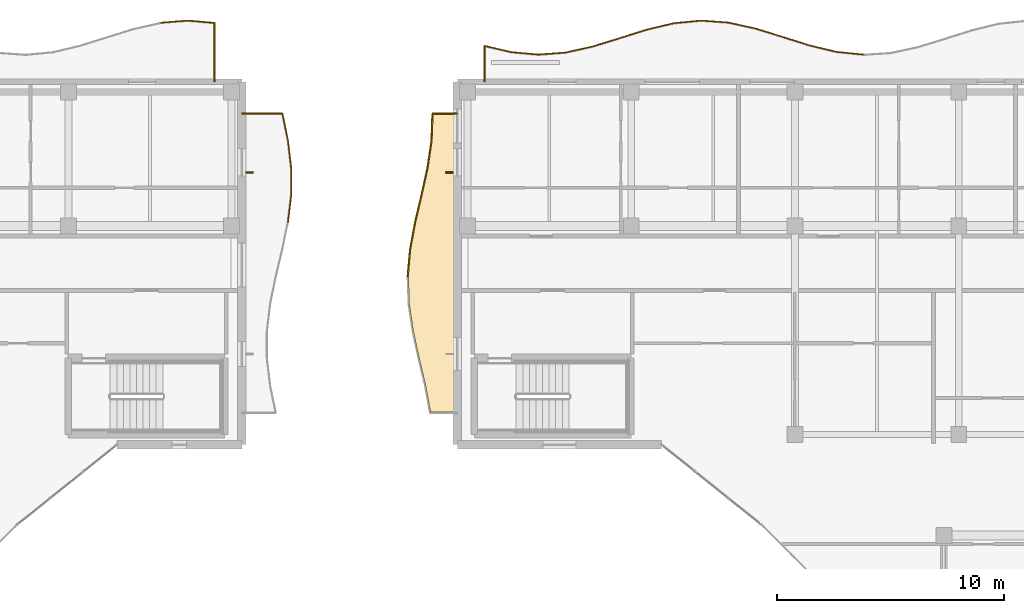
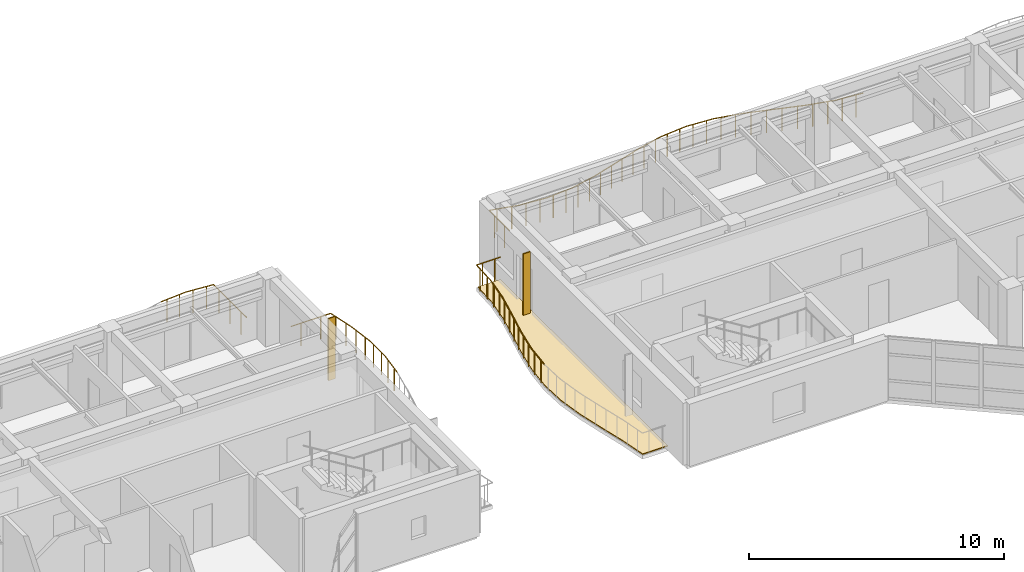
# One storey, part 88 of 89: 30 railings, 2 shading devices, 1 covering.
"""IFC4 building model written with IfcOpenShell, lengths in metres."""

from ifc_helpers import new_model, si_unit, direction, frame, origin, origin_2d, place, context, subcontext, project, spatial, polyline, rectangle, circle, outline, extrude, material, layer, layer_set, type_object, element, save


model = new_model("IFC4")

# Units and contexts
model_context = context("Model", 3, precision=1e-05, world=origin(), true_north=direction((0.0, 1.0)))
body_context = subcontext(model_context, "Body", "Model", "MODEL_VIEW")
ifc_project = project(units=[si_unit("LENGTHUNIT", "METRE"), si_unit("AREAUNIT", "SQUARE_METRE"), si_unit("VOLUMEUNIT", "CUBIC_METRE"), si_unit("PLANEANGLEUNIT", "RADIAN"), si_unit("MASSUNIT", "GRAM", prefix="KILO")], contexts=[model_context])

# Site, building, storey
site_placement = place(None, origin())
site = spatial("IfcSite", under=ifc_project, at=site_placement, CompositionType="ELEMENT")
building_placement = place(site_placement, origin())
building = spatial("IfcBuilding", under=site, at=building_placement, Name="Keldmere Railside Commons", CompositionType="ELEMENT")
storey_placement = place(building_placement, frame((0.0, 0.0, 7.360107421875)))
storey = spatial("IfcBuildingStorey", under=building, at=storey_placement, Name="L02", CompositionType="ELEMENT", Elevation=7.360107421875)

# Railings
ifc_material_1 = material(Name="Steel F-24 (S235)", Category="steel")
railing_type = type_object("IfcRailingType", Name="Balcony & Terrace Steel Balustrade 1100", PredefinedType="BALUSTRADE", material=ifc_material_1)
railing_1_placement = place(storey_placement, frame((133.9228515625, 118.60595703125, 0.0)))
element("IfcRailing", 1, at=railing_1_placement, inside=storey, type_object=railing_type, Name="GR-1 GRD-L02-2009", PredefinedType="BALUSTRADE", context=body_context, shape_type="SweptSolid", body=[
    extrude(circle(Radius=0.02392578125, at=origin_2d()), frame((0.0, 0.0, 1.076171875), z_axis=(0.996887145721, 0.078841731944, 0.0), x_axis=(-0.078841731944, 0.996887145721, 0.0)), (0.0, 0.0, 1.0), 1.192138671875),
    extrude(circle(Radius=0.02099609375, at=origin_2d()), frame((0.297119140625, 0.0234375, 0.0)), (0.0, 0.0, 1.0), 1.048095703125),
    extrude(circle(Radius=0.02099609375, at=origin_2d()), frame((0.891357421875, 0.070556640625, 0.0)), (0.0, 0.0, 1.0), 1.048095703125),
])
railing_2_placement = place(storey_placement, frame((135.111328125, 118.699951171875, 0.0)))
element("IfcRailing", 2, at=railing_2_placement, inside=storey, type_object=railing_type, Name="GR-1 GRD-L02-2010", PredefinedType="BALUSTRADE", context=body_context, shape_type="SweptSolid", body=[
    extrude(circle(Radius=0.02392578125, at=origin_2d()), frame((0.0, 0.0, 1.076171875), z_axis=(0.996247494942, -0.086550152056, 0.0), x_axis=(0.086550152056, 0.996247494942, 0.0)), (0.0, 0.0, 1.0), 1.193115234375),
    extrude(circle(Radius=0.02099609375, at=origin_2d()), frame((0.297119140625, -0.02587890625, 0.0)), (0.0, 0.0, 1.0), 1.048095703125),
    extrude(circle(Radius=0.02099609375, at=origin_2d()), frame((0.8916015625, -0.077392578125, 0.0)), (0.0, 0.0, 1.0), 1.048095703125),
])
railing_3_placement = place(storey_placement, frame((136.300048828125, 118.5966796875, 0.0)))
element("IfcRailing", 3, at=railing_3_placement, inside=storey, type_object=railing_type, Name="GR-1 GRD-L02-2011", PredefinedType="BALUSTRADE", context=body_context, shape_type="SweptSolid", body=[
    extrude(circle(Radius=0.02392578125, at=origin_2d()), frame((0.0, 0.0, 1.076171875), z_axis=(0.0, -1.0, 0.0), x_axis=(1.0, 0.0, 0.0)), (0.0, 0.0, 1.0), 2.5966796875),
    extrude(circle(Radius=0.02099609375, at=origin_2d()), frame((0.0, -0.432861328125, 0.0)), (0.0, 0.0, 1.0), 1.048095703125),
    extrude(circle(Radius=0.02099609375, at=origin_2d()), frame((0.0, -1.29833984375, 0.0)), (0.0, 0.0, 1.0), 1.048095703125),
    extrude(circle(Radius=0.02099609375, at=origin_2d()), frame((0.0, -2.163818359375, 0.0)), (0.0, 0.0, 1.0), 1.048095703125),
])
railing_4_placement = place(storey_placement, frame((139.53759765625, 109.800048828125, 0.0)))
element("IfcRailing", 4, at=railing_4_placement, inside=storey, type_object=railing_type, Name="GR-1 GRD-L02-2075", PredefinedType="BALUSTRADE", context=body_context, shape_type="SweptSolid", body=[
    extrude(circle(Radius=0.02392578125, at=origin_2d()), frame((0.0, 0.0, 1.076171875), z_axis=(0.118587567053, 0.992943598066, 0.0), x_axis=(-0.992943598066, 0.118587567053, 0.0)), (0.0, 0.0, 1.0), 1.20849609375),
    extrude(circle(Radius=0.02099609375, at=origin_2d()), frame((0.035888671875, 0.300048828125, 0.0)), (0.0, 0.0, 1.0), 1.048095703125),
    extrude(circle(Radius=0.02099609375, at=origin_2d()), frame((0.107421875, 0.89990234375, 0.0)), (0.0, 0.0, 1.0), 1.048095703125),
])
railing_5_placement = place(storey_placement, frame((139.680908203125, 111.0, 0.0)))
element("IfcRailing", 5, at=railing_5_placement, inside=storey, type_object=railing_type, Name="GR-1 GRD-L02-2076", PredefinedType="BALUSTRADE", context=body_context, shape_type="SweptSolid", body=[
    extrude(circle(Radius=0.02392578125, at=origin_2d()), frame((0.0, 0.0, 1.076171875), z_axis=(0.000610376285, 0.99999981372, 0.0), x_axis=(-0.99999981372, 0.000610376285, 0.0)), (0.0, 0.0, 1.0), 1.199951171875),
    extrude(circle(Radius=0.02099609375, at=origin_2d()), frame((0.000244140625, 0.300048828125, 0.0)), (0.0, 0.0, 1.0), 1.048095703125),
    extrude(circle(Radius=0.02099609375, at=origin_2d()), frame((0.00048828125, 0.89990234375, 0.0)), (0.0, 0.0, 1.0), 1.048095703125),
])
railing_6_placement = place(storey_placement, frame((139.681640625, 112.199951171875, 0.0)))
element("IfcRailing", 6, at=railing_6_placement, inside=storey, type_object=railing_type, Name="GR-1 GRD-L02-2077", PredefinedType="BALUSTRADE", context=body_context, shape_type="SweptSolid", body=[
    extrude(circle(Radius=0.02392578125, at=origin_2d()), frame((0.0, 0.0, 1.076171875), z_axis=(-0.116993654414, 0.99313266225, 0.0), x_axis=(-0.99313266225, -0.116993654414, 0.0)), (0.0, 0.0, 1.0), 1.208251953125),
    extrude(circle(Radius=0.02099609375, at=origin_2d()), frame((-0.035400390625, 0.300048828125, 0.0)), (0.0, 0.0, 1.0), 1.048095703125),
    extrude(circle(Radius=0.02099609375, at=origin_2d()), frame((-0.10595703125, 0.89990234375, 0.0)), (0.0, 0.0, 1.0), 1.048095703125),
])
railing_7_placement = place(storey_placement, frame((139.540283203125, 113.39990234375, 0.0)))
element("IfcRailing", 7, at=railing_7_placement, inside=storey, type_object=railing_type, Name="GR-1 GRD-L02-2078", PredefinedType="BALUSTRADE", context=body_context, shape_type="SweptSolid", body=[
    extrude(circle(Radius=0.02392578125, at=origin_2d()), frame((0.0, 0.0, 1.076171875), z_axis=(-0.200865691703, 0.97961879009, 0.0), x_axis=(-0.97961879009, -0.200865691703, 0.0)), (0.0, 0.0, 1.0), 1.22509765625),
    extrude(circle(Radius=0.02099609375, at=origin_2d()), frame((-0.0615234375, 0.300048828125, 0.0)), (0.0, 0.0, 1.0), 1.048095703125),
    extrude(circle(Radius=0.02099609375, at=origin_2d()), frame((-0.1845703125, 0.900146484375, 0.0)), (0.0, 0.0, 1.0), 1.048095703125),
])
railing_8_placement = place(storey_placement, frame((139.294189453125, 114.60009765625, 0.0)))
element("IfcRailing", 8, at=railing_8_placement, inside=storey, type_object=railing_type, Name="GR-1 GRD-L02-2079", PredefinedType="BALUSTRADE", context=body_context, shape_type="SweptSolid", body=[
    extrude(circle(Radius=0.02392578125, at=origin_2d()), frame((0.0, 0.0, 1.076171875), z_axis=(-1.0, 0.0, 0.0), x_axis=(0.0, -1.0, 0.0)), (0.0, 0.0, 1.0), 1.794189453125),
    extrude(circle(Radius=0.02099609375, at=origin_2d()), frame((-0.448486328125, 0.0, 0.0)), (0.0, 0.0, 1.0), 1.048095703125),
    extrude(circle(Radius=0.02099609375, at=origin_2d()), frame((-1.345703125, 0.0, 0.0)), (0.0, 0.0, 1.0), 1.048095703125),
])
railing_9_placement = place(storey_placement, frame((148.199951171875, 116.0, 0.0)))
element("IfcRailing", 9, at=railing_9_placement, inside=storey, type_object=railing_type, Name="GR-1 GRD-L02-3289", PredefinedType="BALUSTRADE", context=body_context, shape_type="SweptSolid", body=[
    extrude(circle(Radius=0.02392578125, at=origin_2d()), frame((0.0, 0.0, 1.076171875), z_axis=(0.0, 1.0, 0.0), x_axis=(-1.0, 0.0, 0.0)), (0.0, 0.0, 1.0), 1.5849609375),
    extrude(circle(Radius=0.02099609375, at=origin_2d()), frame((0.0, 0.396240234375, 0.0)), (0.0, 0.0, 1.0), 1.048095703125),
    extrude(circle(Radius=0.02099609375, at=origin_2d()), frame((0.0, 1.188720703125, 0.0)), (0.0, 0.0, 1.0), 1.048095703125),
])
railing_10_placement = place(storey_placement, frame((148.199951171875, 117.5849609375, 0.0)))
element("IfcRailing", 10, at=railing_10_placement, inside=storey, type_object=railing_type, Name="GR-1 GRD-L02-3290", PredefinedType="BALUSTRADE", context=body_context, shape_type="SweptSolid", body=[
    extrude(circle(Radius=0.02392578125, at=origin_2d()), frame((0.0, 0.0, 1.076171875), z_axis=(0.973986548409, -0.226605832932, 0.0), x_axis=(0.226605832932, 0.973986548409, 0.0)), (0.0, 0.0, 1.0), 1.22509765625),
    extrude(circle(Radius=0.02099609375, at=origin_2d()), frame((0.29833984375, -0.0693359375, 0.0)), (0.0, 0.0, 1.0), 1.048095703125),
    extrude(circle(Radius=0.02099609375, at=origin_2d()), frame((0.894775390625, -0.208251953125, 0.0)), (0.0, 0.0, 1.0), 1.048095703125),
])
railing_11_placement = place(storey_placement, frame((149.39306640625, 117.307373046875, 0.0)))
element("IfcRailing", 11, at=railing_11_placement, inside=storey, type_object=railing_type, Name="GR-1 GRD-L02-3291", PredefinedType="BALUSTRADE", context=body_context, shape_type="SweptSolid", body=[
    extrude(circle(Radius=0.02392578125, at=origin_2d()), frame((0.0, 0.0, 1.076171875), z_axis=(0.995989526533, -0.089469900173, 0.0), x_axis=(0.089469900173, 0.995989526533, 0.0)), (0.0, 0.0, 1.0), 1.197998046875),
    extrude(circle(Radius=0.02099609375, at=origin_2d()), frame((0.29833984375, -0.02685546875, 0.0)), (0.0, 0.0, 1.0), 1.048095703125),
    extrude(circle(Radius=0.02099609375, at=origin_2d()), frame((0.894775390625, -0.080322265625, 0.0)), (0.0, 0.0, 1.0), 1.048095703125),
])
railing_12_placement = place(storey_placement, frame((150.586181640625, 117.2001953125, 0.0)))
element("IfcRailing", 12, at=railing_12_placement, inside=storey, type_object=railing_type, Name="GR-1 GRD-L02-3292", PredefinedType="BALUSTRADE", context=body_context, shape_type="SweptSolid", body=[
    extrude(circle(Radius=0.02392578125, at=origin_2d()), frame((0.0, 0.0, 1.076171875), z_axis=(0.997084413311, 0.076306439652, 0.0), x_axis=(-0.076306439652, 0.997084413311, 0.0)), (0.0, 0.0, 1.0), 1.196533203125),
    extrude(circle(Radius=0.02099609375, at=origin_2d()), frame((0.29833984375, 0.02294921875, 0.0)), (0.0, 0.0, 1.0), 1.048095703125),
    extrude(circle(Radius=0.02099609375, at=origin_2d()), frame((0.894775390625, 0.068359375, 0.0)), (0.0, 0.0, 1.0), 1.048095703125),
])
railing_13_placement = place(storey_placement, frame((151.779296875, 117.29150390625, 0.0)))
element("IfcRailing", 13, at=railing_13_placement, inside=storey, type_object=railing_type, Name="GR-1 GRD-L02-3293", PredefinedType="BALUSTRADE", context=body_context, shape_type="SweptSolid", body=[
    extrude(circle(Radius=0.02392578125, at=origin_2d()), frame((0.0, 0.0, 1.076171875), z_axis=(0.976017591193, 0.217691666544, 0.0), x_axis=(-0.217691666544, 0.976017591193, 0.0)), (0.0, 0.0, 1.0), 1.222412109375),
    extrude(circle(Radius=0.02099609375, at=origin_2d()), frame((0.29833984375, 0.06640625, 0.0)), (0.0, 0.0, 1.0), 1.048095703125),
    extrude(circle(Radius=0.02099609375, at=origin_2d()), frame((0.894775390625, 0.19970703125, 0.0)), (0.0, 0.0, 1.0), 1.048095703125),
])
railing_14_placement = place(storey_placement, frame((152.972412109375, 117.5576171875, 0.0)))
element("IfcRailing", 14, at=railing_14_placement, inside=storey, type_object=railing_type, Name="GR-1 GRD-L02-3294", PredefinedType="BALUSTRADE", context=body_context, shape_type="SweptSolid", body=[
    extrude(circle(Radius=0.02392578125, at=origin_2d()), frame((0.0, 0.0, 1.076171875), z_axis=(0.955210932165, 0.295925793186, 0.0), x_axis=(-0.295925793186, 0.955210932165, 0.0)), (0.0, 0.0, 1.0), 1.2490234375),
    extrude(circle(Radius=0.02099609375, at=origin_2d()), frame((0.29833984375, 0.09228515625, 0.0)), (0.0, 0.0, 1.0), 1.048095703125),
    extrude(circle(Radius=0.02099609375, at=origin_2d()), frame((0.894775390625, 0.27734375, 0.0)), (0.0, 0.0, 1.0), 1.048095703125),
])
railing_15_placement = place(storey_placement, frame((154.16552734375, 117.92724609375, 0.0)))
element("IfcRailing", 15, at=railing_15_placement, inside=storey, type_object=railing_type, Name="GR-1 GRD-L02-3295", PredefinedType="BALUSTRADE", context=body_context, shape_type="SweptSolid", body=[
    extrude(circle(Radius=0.02392578125, at=origin_2d()), frame((0.0, 0.0, 1.076171875), z_axis=(0.953765363157, 0.30055221184, 0.0), x_axis=(-0.30055221184, 0.953765363157, 0.0)), (0.0, 0.0, 1.0), 1.2509765625),
    extrude(circle(Radius=0.02099609375, at=origin_2d()), frame((0.29833984375, 0.093994140625, 0.0)), (0.0, 0.0, 1.0), 1.048095703125),
    extrude(circle(Radius=0.02099609375, at=origin_2d()), frame((0.894775390625, 0.281982421875, 0.0)), (0.0, 0.0, 1.0), 1.048095703125),
])
railing_16_placement = place(storey_placement, frame((155.358642578125, 118.30322265625, 0.0)))
element("IfcRailing", 16, at=railing_16_placement, inside=storey, type_object=railing_type, Name="GR-1 GRD-L02-3296", PredefinedType="BALUSTRADE", context=body_context, shape_type="SweptSolid", body=[
    extrude(circle(Radius=0.02392578125, at=origin_2d()), frame((0.0, 0.0, 1.076171875), z_axis=(0.973144884633, 0.230193469743, 0.0), x_axis=(-0.230193469743, 0.973144884633, 0.0)), (0.0, 0.0, 1.0), 1.22607421875),
    extrude(circle(Radius=0.02099609375, at=origin_2d()), frame((0.29833984375, 0.070556640625, 0.0)), (0.0, 0.0, 1.0), 1.048095703125),
    extrude(circle(Radius=0.02099609375, at=origin_2d()), frame((0.894775390625, 0.211669921875, 0.0)), (0.0, 0.0, 1.0), 1.048095703125),
])
railing_17_placement = place(storey_placement, frame((156.5517578125, 118.58544921875, 0.0)))
element("IfcRailing", 17, at=railing_17_placement, inside=storey, type_object=railing_type, Name="GR-1 GRD-L02-3297", PredefinedType="BALUSTRADE", context=body_context, shape_type="SweptSolid", body=[
    extrude(circle(Radius=0.02392578125, at=origin_2d()), frame((0.0, 0.0, 1.076171875), z_axis=(0.995465210874, 0.095126305193, 0.0), x_axis=(-0.095126305193, 0.995465210874, 0.0)), (0.0, 0.0, 1.0), 1.198486328125),
    extrude(circle(Radius=0.02099609375, at=origin_2d()), frame((0.29833984375, 0.028564453125, 0.0)), (0.0, 0.0, 1.0), 1.048095703125),
    extrude(circle(Radius=0.02099609375, at=origin_2d()), frame((0.894775390625, 0.08544921875, 0.0)), (0.0, 0.0, 1.0), 1.048095703125),
])
railing_18_placement = place(storey_placement, frame((157.744873046875, 118.699462890625, 0.0)))
element("IfcRailing", 18, at=railing_18_placement, inside=storey, type_object=railing_type, Name="GR-1 GRD-L02-3298", PredefinedType="BALUSTRADE", context=body_context, shape_type="SweptSolid", body=[
    extrude(circle(Radius=0.02392578125, at=origin_2d()), frame((0.0, 0.0, 1.076171875), z_axis=(0.997488657873, -0.070826389254, 0.0), x_axis=(0.070826389254, 0.997488657873, 0.0)), (0.0, 0.0, 1.0), 1.196044921875),
    extrude(circle(Radius=0.02099609375, at=origin_2d()), frame((0.29833984375, -0.021240234375, 0.0)), (0.0, 0.0, 1.0), 1.048095703125),
    extrude(circle(Radius=0.02099609375, at=origin_2d()), frame((0.894775390625, -0.0634765625, 0.0)), (0.0, 0.0, 1.0), 1.048095703125),
])
railing_19_placement = place(storey_placement, frame((158.93798828125, 118.61474609375, 0.0)))
element("IfcRailing", 19, at=railing_19_placement, inside=storey, type_object=railing_type, Name="GR-1 GRD-L02-3299", PredefinedType="BALUSTRADE", context=body_context, shape_type="SweptSolid", body=[
    extrude(circle(Radius=0.02392578125, at=origin_2d()), frame((0.0, 0.0, 1.076171875), z_axis=(0.976943034305, -0.213500135183, 0.0), x_axis=(0.213500135183, 0.976943034305, 0.0)), (0.0, 0.0, 1.0), 1.22119140625),
    extrude(circle(Radius=0.02099609375, at=origin_2d()), frame((0.29833984375, -0.065185546875, 0.0)), (0.0, 0.0, 1.0), 1.048095703125),
    extrude(circle(Radius=0.02099609375, at=origin_2d()), frame((0.894775390625, -0.195556640625, 0.0)), (0.0, 0.0, 1.0), 1.048095703125),
])
railing_20_placement = place(storey_placement, frame((160.131103515625, 118.35400390625, 0.0)))
element("IfcRailing", 20, at=railing_20_placement, inside=storey, type_object=railing_type, Name="GR-1 GRD-L02-3300", PredefinedType="BALUSTRADE", context=body_context, shape_type="SweptSolid", body=[
    extrude(circle(Radius=0.02392578125, at=origin_2d()), frame((0.0, 0.0, 1.076171875), z_axis=(0.955597028069, -0.294676636239, 0.0), x_axis=(0.294676636239, 0.955597028069, 0.0)), (0.0, 0.0, 1.0), 1.24853515625),
    extrude(circle(Radius=0.02099609375, at=origin_2d()), frame((0.29833984375, -0.092041015625, 0.0)), (0.0, 0.0, 1.0), 1.048095703125),
    extrude(circle(Radius=0.02099609375, at=origin_2d()), frame((0.894775390625, -0.27587890625, 0.0)), (0.0, 0.0, 1.0), 1.048095703125),
])
railing_21_placement = place(storey_placement, frame((161.32421875, 117.986083984375, 0.0)))
element("IfcRailing", 21, at=railing_21_placement, inside=storey, type_object=railing_type, Name="GR-1 GRD-L02-3301", PredefinedType="BALUSTRADE", context=body_context, shape_type="SweptSolid", body=[
    extrude(circle(Radius=0.02392578125, at=origin_2d()), frame((0.0, 0.0, 1.076171875), z_axis=(0.953467574393, -0.301495579705, 0.0), x_axis=(0.301495579705, 0.953467574393, 0.0)), (0.0, 0.0, 1.0), 1.2509765625),
    extrude(circle(Radius=0.02099609375, at=origin_2d()), frame((0.29833984375, -0.09423828125, 0.0)), (0.0, 0.0, 1.0), 1.048095703125),
    extrude(circle(Radius=0.02099609375, at=origin_2d()), frame((0.89453125, -0.282958984375, 0.0)), (0.0, 0.0, 1.0), 1.048095703125),
])
railing_22_placement = place(storey_placement, frame((162.51708984375, 117.60888671875, 0.0)))
element("IfcRailing", 22, at=railing_22_placement, inside=storey, type_object=railing_type, Name="GR-1 GRD-L02-3302", PredefinedType="BALUSTRADE", context=body_context, shape_type="SweptSolid", body=[
    extrude(circle(Radius=0.02392578125, at=origin_2d()), frame((0.0, 0.0, 1.076171875), z_axis=(0.972246267892, -0.233959814005, 0.0), x_axis=(0.233959814005, 0.972246267892, 0.0)), (0.0, 0.0, 1.0), 1.227294921875),
    extrude(circle(Radius=0.02099609375, at=origin_2d()), frame((0.29833984375, -0.07177734375, 0.0)), (0.0, 0.0, 1.0), 1.048095703125),
    extrude(circle(Radius=0.02099609375, at=origin_2d()), frame((0.894775390625, -0.21533203125, 0.0)), (0.0, 0.0, 1.0), 1.048095703125),
])
railing_23_placement = place(storey_placement, frame((163.710205078125, 117.32177734375, 0.0)))
element("IfcRailing", 23, at=railing_23_placement, inside=storey, type_object=railing_type, Name="GR-1 GRD-L02-3303", PredefinedType="BALUSTRADE", context=body_context, shape_type="SweptSolid", body=[
    extrude(circle(Radius=0.02392578125, at=origin_2d()), frame((0.0, 0.0, 1.076171875), z_axis=(0.994929783907, -0.100571989615, 0.0), x_axis=(0.100571989615, 0.994929783907, 0.0)), (0.0, 0.0, 1.0), 1.19921875),
    extrude(circle(Radius=0.02099609375, at=origin_2d()), frame((0.29833984375, -0.0302734375, 0.0)), (0.0, 0.0, 1.0), 1.048095703125),
    extrude(circle(Radius=0.02099609375, at=origin_2d()), frame((0.894775390625, -0.09033203125, 0.0)), (0.0, 0.0, 1.0), 1.048095703125),
])
railing_24_placement = place(storey_placement, frame((144.8037109375, 107.39990234375, 0.0)))
element("IfcRailing", 24, at=railing_24_placement, inside=storey, type_object=railing_type, Name="GR-1 GRD-L02-3402", PredefinedType="BALUSTRADE", context=body_context, shape_type="SweptSolid", body=[
    extrude(circle(Radius=0.02392578125, at=origin_2d()), frame((0.0, 0.0, 1.076171875), z_axis=(0.086734553272, 0.996231457679, 0.0), x_axis=(-0.996231457679, 0.086734553272, 0.0)), (0.0, 0.0, 1.0), 1.204833984375),
    extrude(circle(Radius=0.02099609375, at=origin_2d()), frame((0.026123046875, 0.300048828125, 0.0)), (0.0, 0.0, 1.0), 1.048095703125),
    extrude(circle(Radius=0.02099609375, at=origin_2d()), frame((0.078369140625, 0.900146484375, 0.0)), (0.0, 0.0, 1.0), 1.048095703125),
])
railing_25_placement = place(storey_placement, frame((144.908203125, 108.60009765625, 0.0)))
element("IfcRailing", 25, at=railing_25_placement, inside=storey, type_object=railing_type, Name="GR-1 GRD-L02-3403", PredefinedType="BALUSTRADE", context=body_context, shape_type="SweptSolid", body=[
    extrude(circle(Radius=0.02392578125, at=origin_2d()), frame((0.0, 0.0, 1.076171875), z_axis=(0.1826336296, 0.983181039961, 0.0), x_axis=(-0.983181039961, 0.1826336296, 0.0)), (0.0, 0.0, 1.0), 1.220458984375),
    extrude(circle(Radius=0.02099609375, at=origin_2d()), frame((0.0556640625, 0.300048828125, 0.0)), (0.0, 0.0, 1.0), 1.048095703125),
    extrude(circle(Radius=0.02099609375, at=origin_2d()), frame((0.167236328125, 0.89990234375, 0.0)), (0.0, 0.0, 1.0), 1.048095703125),
])
railing_26_placement = place(storey_placement, frame((145.131103515625, 109.800048828125, 0.0)))
element("IfcRailing", 26, at=railing_26_placement, inside=storey, type_object=railing_type, Name="GR-1 GRD-L02-3404", PredefinedType="BALUSTRADE", context=body_context, shape_type="SweptSolid", body=[
    extrude(circle(Radius=0.02392578125, at=origin_2d()), frame((0.0, 0.0, 1.076171875), z_axis=(0.228387886795, 0.973570219946, 0.0), x_axis=(-0.973570219946, 0.228387886795, 0.0)), (0.0, 0.0, 1.0), 1.232421875),
    extrude(circle(Radius=0.02099609375, at=origin_2d()), frame((0.0703125, 0.300048828125, 0.0)), (0.0, 0.0, 1.0), 1.048095703125),
    extrude(circle(Radius=0.02099609375, at=origin_2d()), frame((0.211181640625, 0.89990234375, 0.0)), (0.0, 0.0, 1.0), 1.048095703125),
])
railing_27_placement = place(storey_placement, frame((145.41259765625, 111.0, 0.0)))
element("IfcRailing", 27, at=railing_27_placement, inside=storey, type_object=railing_type, Name="GR-1 GRD-L02-3405", PredefinedType="BALUSTRADE", context=body_context, shape_type="SweptSolid", body=[
    extrude(circle(Radius=0.02392578125, at=origin_2d()), frame((0.0, 0.0, 1.076171875), z_axis=(0.215562890272, 0.976489959159, 0.0), x_axis=(-0.976489959159, 0.215562890272, 0.0)), (0.0, 0.0, 1.0), 1.228759765625),
    extrude(circle(Radius=0.02099609375, at=origin_2d()), frame((0.066162109375, 0.300048828125, 0.0)), (0.0, 0.0, 1.0), 1.048095703125),
    extrude(circle(Radius=0.02099609375, at=origin_2d()), frame((0.19873046875, 0.89990234375, 0.0)), (0.0, 0.0, 1.0), 1.048095703125),
])
railing_28_placement = place(storey_placement, frame((145.677490234375, 112.199951171875, 0.0)))
element("IfcRailing", 28, at=railing_28_placement, inside=storey, type_object=railing_type, Name="GR-1 GRD-L02-3406", PredefinedType="BALUSTRADE", context=body_context, shape_type="SweptSolid", body=[
    extrude(circle(Radius=0.02392578125, at=origin_2d()), frame((0.0, 0.0, 1.076171875), z_axis=(0.145928579368, 0.989295127716, 0.0), x_axis=(-0.989295127716, 0.145928579368, 0.0)), (0.0, 0.0, 1.0), 1.212890625),
    extrude(circle(Radius=0.02099609375, at=origin_2d()), frame((0.044189453125, 0.300048828125, 0.0)), (0.0, 0.0, 1.0), 1.048095703125),
    extrude(circle(Radius=0.02099609375, at=origin_2d()), frame((0.1328125, 0.89990234375, 0.0)), (0.0, 0.0, 1.0), 1.048095703125),
])
railing_29_placement = place(storey_placement, frame((145.8544921875, 113.39990234375, 0.0)))
element("IfcRailing", 29, at=railing_29_placement, inside=storey, type_object=railing_type, Name="GR-1 GRD-L02-3407", PredefinedType="BALUSTRADE", context=body_context, shape_type="SweptSolid", body=[
    extrude(circle(Radius=0.02392578125, at=origin_2d()), frame((0.0, 0.0, 1.076171875), z_axis=(0.034966399516, 0.999388488479, 0.0), x_axis=(-0.999388488479, 0.034966399516, 0.0)), (0.0, 0.0, 1.0), 1.200927734375),
    extrude(circle(Radius=0.02099609375, at=origin_2d()), frame((0.010498046875, 0.300048828125, 0.0)), (0.0, 0.0, 1.0), 1.048095703125),
    extrude(circle(Radius=0.02099609375, at=origin_2d()), frame((0.031494140625, 0.900146484375, 0.0)), (0.0, 0.0, 1.0), 1.048095703125),
])
railing_30_placement = place(storey_placement, frame((145.896484375, 114.60009765625, 0.0)))
element("IfcRailing", 30, at=railing_30_placement, inside=storey, type_object=railing_type, Name="GR-1 GRD-L02-3408", PredefinedType="BALUSTRADE", context=body_context, shape_type="SweptSolid", body=[
    extrude(circle(Radius=0.02392578125, at=origin_2d()), frame((0.0, 0.0, 1.076171875), z_axis=(1.0, 0.0, 0.0), x_axis=(0.0, 1.0, 0.0)), (0.0, 0.0, 1.0), 1.103515625),
    extrude(circle(Radius=0.02099609375, at=origin_2d()), frame((0.27587890625, 0.0, 0.0)), (0.0, 0.0, 1.0), 1.048095703125),
    extrude(circle(Radius=0.02099609375, at=origin_2d()), frame((0.82763671875, 0.0, 0.0)), (0.0, 0.0, 1.0), 1.048095703125),
])

# Shading devices
ifc_layer_1 = layer(ifc_material_1, 0.06005859375, Name="East-West Vertical Brise-Soleil Fin 320x60")
ifc_layer_set_1 = layer_set([ifc_layer_1], Name="Steel F-24 (S235)")
shading_device_type = type_object("IfcShadingDeviceType", Name="East-West Vertical Brise-Soleil Fin 320x60", PredefinedType="USERDEFINED", material=ifc_layer_set_1)
for number, where, z_axis, x_axis, name in (
    (31, (137.837890625, 112.0, 0.0), (0.0, 0.0, 1.0), (1.0, 0.0, 0.0), "FIN-1 Solar Fin 019"),
    (32, (146.662109375, 112.0, 0.0), (0.0, 0.0, 1.0), (1.0, 0.0, 0.0), "FIN-1 Solar Fin 032"),
):
    element("IfcShadingDevice", number, at=place(storey_placement, frame(where, z_axis=z_axis, x_axis=x_axis)), inside=storey, type_object=shading_device_type, Name=name, ObjectType="FIN", PredefinedType="USERDEFINED", context=body_context, shape_type="SweptSolid", body=[
        extrude(rectangle(XDim=0.320068359375, YDim=0.06005859375, at=origin_2d()), origin(), (0.0, 0.0, 1.0), 2.97998046875),
    ])

# Covering
ifc_material_2 = material(Name="White Precast Concrete C35/45", Category="concrete")
ifc_layer_2 = layer(ifc_material_2, 0.044921875, Name="White Architectural Balcony Ribbon Cladding 45")
ifc_layer_set_2 = layer_set([ifc_layer_2], Name="White Precast Concrete C35/45")
covering_type = type_object("IfcCoveringType", Name="White Architectural Balcony Ribbon Cladding 45", PredefinedType="FLOORING", material=ifc_layer_set_2)
covering_placement = place(storey_placement, origin())
element("IfcCovering", 33, at=covering_placement, inside=storey, type_object=covering_type, Name="CLG-WB A L02 WW White Balcony Ribbon", PredefinedType="FLOORING", context=body_context, shape_type="SweptSolid", body=[
    extrude(outline(polyline([(146.9599609375, 114.56005859375), (145.93505859375, 114.56005859375), (145.89453125, 113.398681640625), (145.89404296875, 113.394287109375), (145.717041015625, 112.194091796875), (145.716552734375, 112.19140625), (145.45166015625, 110.991455078125), (145.451416015625, 110.990966796875), (145.170166015625, 109.791748046875), (144.94775390625, 108.594482421875), (144.84375, 107.39892578125), (144.885498046875, 106.20361328125), (145.06201171875, 105.007080078125), (145.326416015625, 103.808837890625), (145.60791015625, 102.609130859375), (145.6083984375, 102.607421875), (145.8251953125, 101.43994140625), (146.9599609375, 101.43994140625), (146.9599609375, 114.56005859375)])), origin(), (0.0, 0.0, 1.0), 0.044921875),
])

save(model, "model.ifc")
